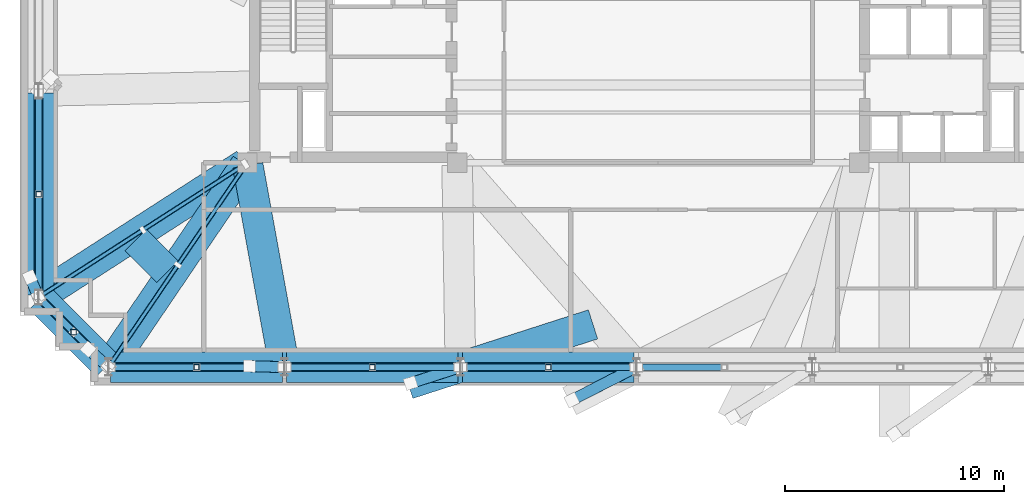
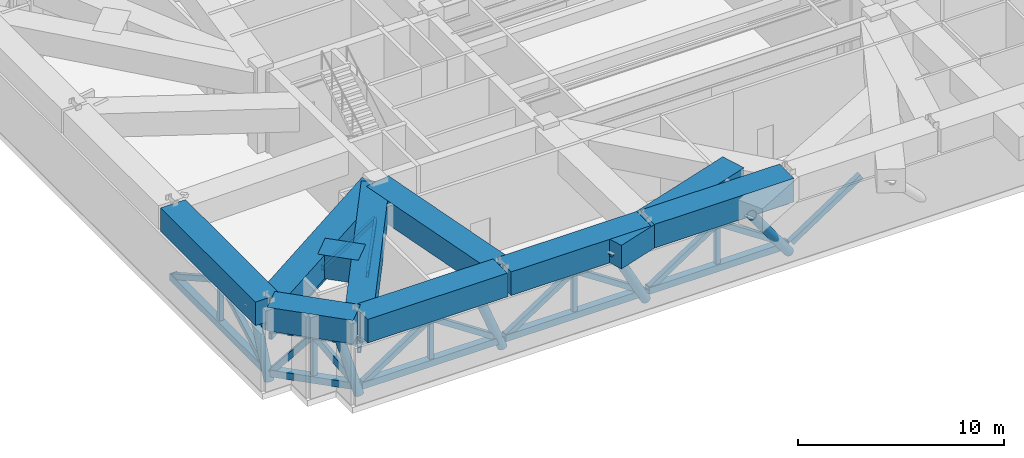
# One storey, part 3 of 18: 37 members, 10 beams.
"""IFC4 building model written with IfcOpenShell, lengths in metres."""

import ifcopenshell
import ifcopenshell.guid

model = None  # the IFC model being written
_history = None  # IfcOwnerHistory: only IFC2X3 demands one
_inside = {}  # id of a spatial element -> (the spatial element, [elements in it])
_under = {}  # id of a project, library or spatial element -> (it, [spatial elements below it])
_declared = {}  # id of a project -> (the project, [libraries it declares])
_typed = {}  # id of a type object -> (the type object, [elements of that type])
_made_of = {}  # id of a material, layer set ... -> (it, [elements and type objects made of it])


def new_model(schema):
    """Start an empty IFC model of exactly this schema.

    Asked for "IFC4X3", IfcOpenShell would pick the latest addendum, in which some entities
    have other attributes; the version numbers below select the first issue.
    IFC2X3 requires an IfcOwnerHistory on every rooted entity: one is made here for all.
    """
    global model, _history
    if schema == "IFC4X3":
        model = ifcopenshell.file(schema_version=(4, 3, 0, 0))
    else:
        model = ifcopenshell.file(schema=schema)
    _inside.clear()
    _under.clear()
    _declared.clear()
    _typed.clear()
    _made_of.clear()
    _history = None
    if model.schema == "IFC2X3":
        org = make("IfcOrganization", Name="unknown")
        user = make(
            "IfcPersonAndOrganization",
            ThePerson=make("IfcPerson", FamilyName="unknown"),
            TheOrganization=org,
        )
        app = make(
            "IfcApplication",
            ApplicationDeveloper=org,
            Version="unknown",
            ApplicationFullName="unknown",
            ApplicationIdentifier="unknown",
        )
        _history = make(
            "IfcOwnerHistory",
            OwningUser=user,
            OwningApplication=app,
            ChangeAction="ADDED",
            CreationDate=0,
        )
    return model


def make(cls, **values):
    """One entity of the class cls with the attributes given. An attribute that is None is left unset."""
    return model.create_entity(
        cls, **{name: value for name, value in values.items() if value is not None}
    )


def rooted(cls, **values):
    """An entity with a GlobalId (a new one), such as an element, a storey or a relation."""
    return make(cls, GlobalId=ifcopenshell.guid.new(), OwnerHistory=_history, **values)


def si_unit(unit_type, name, prefix=None):
    """IfcSIUnit, for example si_unit("LENGTHUNIT", "METRE", prefix="MILLI")."""
    return make("IfcSIUnit", UnitType=unit_type, Prefix=prefix, Name=name)


def assignment(units):
    """IfcUnitAssignment: the units of a project."""
    return None if units is None else make("IfcUnitAssignment", Units=units)


def point(xyz):
    """IfcCartesianPoint."""
    return None if xyz is None else make("IfcCartesianPoint", Coordinates=xyz)


def direction(xyz):
    """IfcDirection."""
    return None if xyz is None else make("IfcDirection", DirectionRatios=xyz)


def frame(location, z_axis=None, x_axis=None):
    """IfcAxis2Placement3D, a coordinate frame: its origin and axes. An axis left out is left unset."""
    return make(
        "IfcAxis2Placement3D",
        Location=point(location),
        Axis=direction(z_axis),
        RefDirection=direction(x_axis),
    )


def frame_2d(location, x_axis=None):
    """IfcAxis2Placement2D, a coordinate frame in the plane: its origin and x axis."""
    return make(
        "IfcAxis2Placement2D", Location=point(location), RefDirection=direction(x_axis)
    )


def origin():
    """The frame at (0, 0, 0) with its axes left unset."""
    return frame((0.0, 0.0, 0.0))


def origin_2d():
    """The frame at (0, 0) in the plane with its x axis left unset."""
    return frame_2d((0.0, 0.0))


def place(relative_to, where):
    """IfcLocalPlacement: puts the frame where relative to a parent placement (None: the world)."""
    return make(
        "IfcLocalPlacement", PlacementRelTo=relative_to, RelativePlacement=where
    )


def context(
    kind, dimensions, precision=None, world=None, true_north=None, identifier=None
):
    """IfcGeometricRepresentationContext, for example the 3D "Model" context."""
    return make(
        "IfcGeometricRepresentationContext",
        ContextIdentifier=identifier,
        ContextType=kind,
        CoordinateSpaceDimension=dimensions,
        Precision=precision,
        WorldCoordinateSystem=world,
        TrueNorth=true_north,
    )


def subcontext(parent, identifier, kind, view, scale=None):
    """IfcGeometricRepresentationSubContext, for example "Body" below "Model"."""
    return make(
        "IfcGeometricRepresentationSubContext",
        ContextIdentifier=identifier,
        ContextType=kind,
        ParentContext=parent,
        TargetScale=scale,
        TargetView=view,
    )


def project(units=None, contexts=None):
    """IfcProject with its units and contexts."""
    return rooted(
        "IfcProject",
        Name="project",
        RepresentationContexts=contexts,
        UnitsInContext=assignment(units),
    )


def spatial(cls, under=None, at=None, **own):
    """A site, building, storey or space (cls), placed at a placement, below another one or the project."""
    s = rooted(cls, ObjectPlacement=at, **own)
    if under is not None:
        _under.setdefault(under.id(), (under, []))[1].append(s)
    return s


def profile(cls, at=None, kind="AREA", **sizes):
    """A parametric profile (cls). Its sizes go by their IFC names, for example OverallWidth=200.0."""
    return make(cls, ProfileType=kind, Position=at, **sizes)


def rectangle(**sizes):
    """IfcRectangleProfileDef."""
    return profile("IfcRectangleProfileDef", **sizes)


def hollow_rectangle(**sizes):
    """IfcRectangleHollowProfileDef."""
    return profile("IfcRectangleHollowProfileDef", **sizes)


def hollow_circle(**sizes):
    """IfcCircleHollowProfileDef."""
    return profile("IfcCircleHollowProfileDef", **sizes)


def extrude(swept, where, along, depth):
    """IfcExtrudedAreaSolid: the profile swept, set in the frame where, extruded along a direction by depth."""
    return make(
        "IfcExtrudedAreaSolid",
        SweptArea=swept,
        Position=where,
        ExtrudedDirection=direction(along),
        Depth=depth,
    )


def shape(context_of_items, identifier, shape_type, items):
    """IfcShapeRepresentation: the items that make up one representation, for example the "Body"."""
    return make(
        "IfcShapeRepresentation",
        ContextOfItems=context_of_items,
        RepresentationIdentifier=identifier,
        RepresentationType=shape_type,
        Items=items,
    )


def material(Name=None, Category=None):
    """IfcMaterial."""
    return make("IfcMaterial", Name=Name, Category=Category)


def material_profile(
    of_material, cross_section, Name=None, Category=None, Priority=None
):
    """IfcMaterialProfile: a cross section and its material."""
    return make(
        "IfcMaterialProfile",
        Name=Name,
        Material=of_material,
        Profile=cross_section,
        Priority=Priority,
        Category=Category,
    )


def profile_set(profiles, Name=None, composite=None):
    """IfcMaterialProfileSet."""
    return make(
        "IfcMaterialProfileSet",
        Name=Name,
        MaterialProfiles=profiles,
        CompositeProfile=composite,
    )


def made_of(thing, what):
    """Note that an element or type object is made of a material, layer set ...; save() writes the relation."""
    if what is not None:
        _made_of.setdefault(what.id(), (what, []))[1].append(thing)
    return thing


def type_object(cls, material=None, **own):
    """A type object (cls), such as IfcWallType, which elements share."""
    return made_of(rooted(cls, **own), material)


def element(
    cls,
    number,
    at=None,
    inside=None,
    cuts=None,
    type_object=None,
    material=None,
    context=None,
    identifier="Body",
    shape_type=None,
    held_by="IfcProductDefinitionShape",
    body=None,
    shapes=None,
    **own,
):
    """One element of the class cls, such as IfcWall. Its Tag is "e" and its number.

    at: its placement. inside: the storey or other place that contains it. cuts: it is an
    opening in that element (IfcRelVoidsElement). A single representation is given by context,
    identifier, shape_type and body (its items); several are given by shapes. held_by: the class
    of the entity that holds the representations. save() writes the other relations.
    """
    e = rooted(cls, Tag="e%d" % number, ObjectPlacement=at, **own)
    if body is not None:
        shapes = [shape(context, identifier, shape_type, body)]
    if shapes is not None:
        e.Representation = make(held_by, Representations=shapes)
    if inside is not None:
        _inside.setdefault(inside.id(), (inside, []))[1].append(e)
    if cuts is not None:
        rooted(
            "IfcRelVoidsElement", RelatingBuildingElement=cuts, RelatedOpeningElement=e
        )
    if type_object is not None:
        _typed.setdefault(type_object.id(), (type_object, []))[1].append(e)
    return made_of(e, material)


def aggregate(whole, parts):
    """IfcRelAggregates: a whole, such as a stair, and the parts it consists of."""
    return rooted("IfcRelAggregates", RelatingObject=whole, RelatedObjects=parts)


def save(model, path):
    """Write the relations noted so far, then the file.

    IfcRelAggregates (storeys below a building ...), IfcRelContainedInSpatialStructure (elements
    in a storey), IfcRelDefinesByType, IfcRelAssociatesMaterial and IfcRelDeclares: one each for
    every whole, place, type object, material and project.
    """
    for whole, parts in _under.values():
        aggregate(whole, parts)
    for where, things in _inside.values():
        rooted(
            "IfcRelContainedInSpatialStructure",
            RelatedElements=things,
            RelatingStructure=where,
        )
    for kind, things in _typed.values():
        rooted("IfcRelDefinesByType", RelatedObjects=things, RelatingType=kind)
    for what, things in _made_of.values():
        rooted("IfcRelAssociatesMaterial", RelatedObjects=things, RelatingMaterial=what)
    for by, libraries in _declared.values():
        rooted("IfcRelDeclares", RelatingContext=by, RelatedDefinitions=libraries)
    model.write(path)


model = new_model("IFC4")

# Units and contexts
model_context = context("Model", 3, precision=1e-05, world=origin(), true_north=direction((0.0, 1.0)))
body_context = subcontext(model_context, "Body", "Model", "MODEL_VIEW")
ifc_project = project(units=[si_unit("LENGTHUNIT", "METRE"), si_unit("AREAUNIT", "SQUARE_METRE"), si_unit("VOLUMEUNIT", "CUBIC_METRE"), si_unit("PLANEANGLEUNIT", "RADIAN"), si_unit("MASSUNIT", "GRAM", prefix="KILO")], contexts=[model_context])

# Site, building, storey
site_placement = place(None, origin())
site = spatial("IfcSite", under=ifc_project, at=site_placement, CompositionType="ELEMENT")
building_placement = place(site_placement, origin())
building = spatial("IfcBuilding", under=site, at=building_placement, Name="Qobustan Lattice House", CompositionType="ELEMENT")
storey_placement = place(building_placement, frame((0.0, 0.0, 174.550048828125)))
storey = spatial("IfcBuildingStorey", under=building, at=storey_placement, Name="L49", CompositionType="ELEMENT", Elevation=174.550048828125)

# Beams
ifc_material_1 = material(Name="Concrete C60/75", Category="concrete")
ifc_material_profile_1 = material_profile(ifc_material_1, rectangle(XDim=1.39990234375, YDim=1.39990234375, at=origin_2d()), Name="RC1400x1400")
ifc_profile_set_1 = profile_set([ifc_material_profile_1], Name="Concrete C60/75")
beam_type = type_object("IfcBeamType", Name="BM-TRG-RC1400", PredefinedType="USERDEFINED", material=ifc_profile_set_1)
for number, where, z_axis, x_axis, name in (
    (1, (-25.050048828125, -14.949951171875, 4.119873046875), (1.0, 0.0, 0.0), (0.0, 1.0, 0.0), "L49 TT3 lower perimeter transfer girder S1-S2"),
    (2, (-17.0, -14.949951171875, 4.119873046875), (1.0, 0.0, 0.0), (0.0, 1.0, 0.0), "L49 TT3 lower perimeter transfer girder S2-S3"),
):
    element("IfcBeam", number, at=place(storey_placement, frame(where, z_axis=z_axis, x_axis=x_axis)), inside=storey, type_object=beam_type, Name=name, ObjectType="GIRDER", PredefinedType="USERDEFINED", context=body_context, shape_type="SweptSolid", body=[
        extrude(rectangle(XDim=1.39990234375, YDim=1.39990234375, at=origin_2d()), origin(), (0.0, 0.0, 1.0), 7.85009765625),
    ])
beam_1_placement = place(storey_placement, frame((-8.949951171875, -14.949951171875, 4.119873046875), z_axis=(1.0, 0.0, 0.0), x_axis=(0.0, 1.0, 0.0)))
element("IfcBeam", 3, at=beam_1_placement, inside=storey, type_object=beam_type, Name="L49 TT3 lower perimeter transfer girder S3-S4", ObjectType="GIRDER", PredefinedType="USERDEFINED", context=body_context, shape_type="SweptSolid", body=[
    extrude(rectangle(XDim=1.39990234375, YDim=1.39990234375, at=origin_2d()), origin(), (0.0, 0.0, 1.0), 7.849853515625),
])
beam_2_placement = place(storey_placement, frame((-28.35009765625, -2.416748046875, 4.119873046875), z_axis=(0.0, -1.0, 0.0), x_axis=(1.0, 0.0, 0.0)))
element("IfcBeam", 4, at=beam_2_placement, inside=storey, type_object=beam_type, Name="L49 TT3 lower perimeter transfer girder W3-W4", ObjectType="GIRDER", PredefinedType="USERDEFINED", context=body_context, shape_type="SweptSolid", body=[
    extrude(rectangle(XDim=1.39990234375, YDim=1.39990234375, at=origin_2d()), origin(), (0.0, 0.0, 1.0), 9.233154296875),
])
beam_3_placement = place(storey_placement, frame((-28.279296875, -11.82080078125, 4.119873046875), z_axis=(0.707106781187, -0.707106781187, 0.0), x_axis=(0.707106781187, 0.707106781187, 0.0)))
element("IfcBeam", 5, at=beam_3_placement, inside=storey, type_object=beam_type, Name="L49 TT3 lower perimeter transfer girder W4-S1", ObjectType="GIRDER", PredefinedType="USERDEFINED", context=body_context, shape_type="SweptSolid", body=[
    extrude(rectangle(XDim=1.39990234375, YDim=1.39990234375, at=origin_2d()), origin(), (0.0, 0.0, 1.0), 4.325439453125),
])
beam_4_placement = place(storey_placement, frame((-18.867431640625, -5.69921875, 4.119873046875), z_axis=(-0.561825190953, -0.827255979011, 0.0), x_axis=(0.827255979011, -0.561825190953, 0.0)))
element("IfcBeam", 6, at=beam_4_placement, inside=storey, type_object=beam_type, Name="L49 TT3 radial transfer girder S1", ObjectType="GIRDER", PredefinedType="USERDEFINED", context=body_context, shape_type="SweptSolid", body=[
    extrude(rectangle(XDim=1.39990234375, YDim=1.39990234375, at=origin_2d()), origin(), (0.0, 0.0, 1.0), 11.062255859375),
])
beam_5_placement = place(storey_placement, frame((-18.778564453125, -5.718017578125, 4.119873046875), z_axis=(0.1788784802, -0.983871175165, 0.0), x_axis=(0.983871175165, 0.1788784802, 0.0)))
element("IfcBeam", 7, at=beam_5_placement, inside=storey, type_object=beam_type, Name="L49 TT3 radial transfer girder S2", ObjectType="GIRDER", PredefinedType="USERDEFINED", context=body_context, shape_type="SweptSolid", body=[
    extrude(rectangle(XDim=1.39990234375, YDim=1.39990234375, at=origin_2d()), origin(), (0.0, 0.0, 1.0), 9.26318359375),
])
beam_6_placement = place(storey_placement, frame((-18.90087890625, -5.6650390625, 4.119873046875), z_axis=(-0.840748732905, -0.541425496369, 0.0), x_axis=(0.541425496369, -0.840748732905, 0.0)))
element("IfcBeam", 8, at=beam_6_placement, inside=storey, type_object=beam_type, Name="L49 TT3 radial transfer girder W4", ObjectType="GIRDER", PredefinedType="USERDEFINED", context=body_context, shape_type="SweptSolid", body=[
    extrude(rectangle(XDim=1.39990234375, YDim=1.39990234375, at=origin_2d()), origin(), (0.0, 0.0, 1.0), 11.118896484375),
])
beam_7_placement = place(storey_placement, frame((-22.447998046875, -10.5869140625, 4.119873046875), z_axis=(-0.707166354612, 0.707047202741, 0.0), x_axis=(-0.707047202741, -0.707166354612, 0.0)))
element("IfcBeam", 9, at=beam_7_placement, inside=storey, type_object=beam_type, Name="L49 TT3 quadrant transfer tie girder 3", ObjectType="GIRDER", PredefinedType="USERDEFINED", context=body_context, shape_type="SweptSolid", body=[
    extrude(rectangle(XDim=1.39990234375, YDim=1.39990234375, at=origin_2d()), origin(), (0.0, 0.0, 1.0), 2.049072265625),
])
beam_8_placement = place(storey_placement, frame((-2.981689453125, -12.99658203125, 4.119873046875), z_axis=(-0.951896417645, -0.30641998968, 0.0), x_axis=(0.30641998968, -0.951896417645, 0.0)))
element("IfcBeam", 10, at=beam_8_placement, inside=storey, type_object=beam_type, Name="L49 TT3 primary column transfer girder S3", ObjectType="GIRDER", PredefinedType="USERDEFINED", context=body_context, shape_type="SweptSolid", body=[
    extrude(rectangle(XDim=1.39990234375, YDim=1.39990234375, at=origin_2d()), origin(), (0.0, 0.0, 1.0), 8.886962890625),
])

# Members
ifc_material_2 = material(Name="Steel S355", Category="steel")
ifc_material_profile_2 = material_profile(ifc_material_2, hollow_rectangle(XDim=0.14990234375, YDim=0.300048828125, WallThickness=0.012451171875, at=origin_2d()), Name="RHS300x150x12.5")
ifc_profile_set_2 = profile_set([ifc_material_profile_2], Name="Steel S355")
member_type_1 = type_object("IfcMemberType", Name="MEM-BRC-RHS300", PredefinedType="BRACE", material=ifc_profile_set_2)
for number, where, z_axis, x_axis, name in (
    (11, (-18.90087890625, -5.6650390625, 2.550048828125), (-0.836056236049, -0.538403621533, 0.10550597369), (0.541425496369, -0.840748732905, 0.0), "L49 TT3 outrigger diagonal OUT-WS-1"),
    (12, (-23.574951171875, -8.675048828125, 3.139892578125), (-0.836056236049, -0.538403621533, -0.10550597369), (0.541425496369, -0.840748732905, 0.0), "L49 TT3 outrigger diagonal OUT-WS-2"),
):
    element("IfcMember", number, at=place(storey_placement, frame(where, z_axis=z_axis, x_axis=x_axis)), inside=storey, type_object=member_type_1, Name=name, PredefinedType="BRACE", context=body_context, shape_type="SweptSolid", body=[
        extrude(hollow_rectangle(XDim=0.14990234375, YDim=0.300048828125, WallThickness=0.012451171875, at=origin_2d()), origin(), (0.0, 0.0, 1.0), 5.590576171875),
    ])
for number, where, z_axis, x_axis, name in (
    (13, (-18.867431640625, -5.69921875, 2.550048828125), (-0.558672703346, -0.822581805807, 0.106037650348), (0.827245721652, -0.561840294041, 0.0), "L49 TT3 outrigger diagonal OUT-WN-1"),
    (14, (-21.97509765625, -10.27490234375, 3.139892578125), (-0.558642511139, -0.822601975469, -0.106040250386), (0.827266236349, -0.561810087304, 0.0), "L49 TT3 outrigger diagonal OUT-WN-2"),
):
    element("IfcMember", number, at=place(storey_placement, frame(where, z_axis=z_axis, x_axis=x_axis)), inside=storey, type_object=member_type_1, Name=name, PredefinedType="BRACE", context=body_context, shape_type="SweptSolid", body=[
        extrude(hollow_rectangle(XDim=0.14990234375, YDim=0.300048828125, WallThickness=0.012451171875, at=origin_2d()), origin(), (0.0, 0.0, 1.0), 5.5625),
    ])
ifc_material_3 = material(Name="Steel S355", Category="steel")
ifc_material_profile_3 = material_profile(ifc_material_3, hollow_rectangle(XDim=0.300048828125, YDim=0.300048828125, WallThickness=0.01611328125, at=origin_2d()), Name="SHS300x300x16")
ifc_profile_set_3 = profile_set([ifc_material_profile_3], Name="Steel S355")
member_type_2 = type_object("IfcMemberType", Name="MEM-BRC-SHS300", PredefinedType="BRACE", material=ifc_profile_set_3)
for number, where, z_axis, x_axis, name in (
    (15, (-25.050048828125, -14.949951171875, 0.550048828125), (0.834676709291, 0.0, 0.550740220946), (0.0, 1.0, 0.0), "L49 TT3 belt truss web diagonal S1-S2 A"),
    (16, (-21.125, -14.949951171875, 3.139892578125), (0.834676709291, 0.0, -0.550740220946), (0.0, 1.0, 0.0), "L49 TT3 belt truss web diagonal S1-S2 B"),
    (17, (-17.0, -14.949951171875, 0.550048828125), (0.834676709291, 0.0, 0.550740220946), (0.0, 1.0, 0.0), "L49 TT3 belt truss web diagonal S2-S3 A"),
    (18, (-13.074951171875, -14.949951171875, 3.139892578125), (0.834676709291, 0.0, -0.550740220946), (0.0, 1.0, 0.0), "L49 TT3 belt truss web diagonal S2-S3 B"),
    (19, (-8.949951171875, -14.949951171875, 0.550048828125), (0.834676709291, 0.0, 0.550740220946), (0.0, 1.0, 0.0), "L49 TT3 belt truss web diagonal S3-S4 A"),
    (20, (-5.02490234375, -14.949951171875, 3.139892578125), (0.834660960939, 0.0, -0.550764087686), (0.0, 1.0, 0.0), "L49 TT3 belt truss web diagonal S3-S4 B"),
    (21, (-0.89990234375, -14.949951171875, 0.550048828125), (0.834660960939, 0.0, 0.550764087686), (0.0, 1.0, 0.0), "L49 TT3 belt truss web diagonal S4-S5 A"),
):
    element("IfcMember", number, at=place(storey_placement, frame(where, z_axis=z_axis, x_axis=x_axis)), inside=storey, type_object=member_type_2, Name=name, PredefinedType="BRACE", context=body_context, shape_type="SweptSolid", body=[
        extrude(hollow_rectangle(XDim=0.300048828125, YDim=0.300048828125, WallThickness=0.01611328125, at=origin_2d()), origin(), (0.0, 0.0, 1.0), 4.702392578125),
    ])
member_1_placement = place(storey_placement, frame((-28.35009765625, -2.416748046875, 0.550048828125), z_axis=(0.0, -0.872144001092, 0.489249263013), x_axis=(1.0, 0.0, 0.0)))
element("IfcMember", 22, at=member_1_placement, inside=storey, type_object=member_type_2, Name="L49 TT3 belt truss web diagonal W3-W4 A", PredefinedType="BRACE", context=body_context, shape_type="SweptSolid", body=[
    extrude(hollow_rectangle(XDim=0.300048828125, YDim=0.300048828125, WallThickness=0.01611328125, at=origin_2d()), origin(), (0.0, 0.0, 1.0), 5.29345703125),
])
member_2_placement = place(storey_placement, frame((-28.35009765625, -7.033447265625, 3.139892578125), z_axis=(0.0, -0.872132960732, -0.489268943225), x_axis=(1.0, 0.0, 0.0)))
element("IfcMember", 23, at=member_2_placement, inside=storey, type_object=member_type_2, Name="L49 TT3 belt truss web diagonal W3-W4 B", PredefinedType="BRACE", context=body_context, shape_type="SweptSolid", body=[
    extrude(hollow_rectangle(XDim=0.300048828125, YDim=0.300048828125, WallThickness=0.01611328125, at=origin_2d()), origin(), (0.0, 0.0, 1.0), 5.293212890625),
])
for number, where, z_axis, x_axis, name in (
    (24, (-28.279296875, -11.82080078125, 0.550048828125), (0.453241133876, -0.453241133876, 0.767557782272), (0.707106781187, 0.707106781187, 0.0), "L49 TT3 belt truss web diagonal W4-S1 A"),
    (25, (-26.75, -13.35009765625, 3.139892578125), (0.453241133876, -0.453241133876, -0.767557782272), (0.707106781187, 0.707106781187, 0.0), "L49 TT3 belt truss web diagonal W4-S1 B"),
):
    element("IfcMember", number, at=place(storey_placement, frame(where, z_axis=z_axis, x_axis=x_axis)), inside=storey, type_object=member_type_2, Name=name, PredefinedType="BRACE", context=body_context, shape_type="SweptSolid", body=[
        extrude(hollow_rectangle(XDim=0.300048828125, YDim=0.300048828125, WallThickness=0.01611328125, at=origin_2d()), origin(), (0.0, 0.0, 1.0), 3.3740234375),
    ])
ifc_material_4 = material(Name="Steel S355", Category="steel")
ifc_material_profile_4 = material_profile(ifc_material_4, hollow_rectangle(XDim=0.199951171875, YDim=0.39990234375, WallThickness=0.01611328125, at=origin_2d()), Name="RHS400x200x16")
ifc_profile_set_4 = profile_set([ifc_material_profile_4], Name="Steel S355")
member_type_3 = type_object("IfcMemberType", Name="MEM-CHD-RHS400", PredefinedType="CHORD", material=ifc_profile_set_4)
member_3_placement = place(storey_placement, frame((-18.90087890625, -5.6650390625, 2.550048828125), z_axis=(-0.840748732905, -0.541425496369, 0.0), x_axis=(0.541425496369, -0.840748732905, 0.0)))
element("IfcMember", 26, at=member_3_placement, inside=storey, type_object=member_type_3, Name="L49 TT3 outrigger chord OUT-WS", PredefinedType="CHORD", context=body_context, shape_type="SweptSolid", body=[
    extrude(hollow_rectangle(XDim=0.199951171875, YDim=0.39990234375, WallThickness=0.01611328125, at=origin_2d()), origin(), (0.0, 0.0, 1.0), 11.118896484375),
])
member_4_placement = place(storey_placement, frame((-18.867431640625, -5.69921875, 2.550048828125), z_axis=(-0.561825190953, -0.827255979011, 0.0), x_axis=(0.827255979011, -0.561825190953, 0.0)))
element("IfcMember", 27, at=member_4_placement, inside=storey, type_object=member_type_3, Name="L49 TT3 outrigger chord OUT-WN", PredefinedType="CHORD", context=body_context, shape_type="SweptSolid", body=[
    extrude(hollow_rectangle(XDim=0.199951171875, YDim=0.39990234375, WallThickness=0.01611328125, at=origin_2d()), origin(), (0.0, 0.0, 1.0), 11.062255859375),
])
ifc_material_5 = material(Name="Steel S355", Category="steel")
ifc_material_profile_5 = material_profile(ifc_material_5, hollow_rectangle(XDim=0.35009765625, YDim=0.35009765625, WallThickness=0.01611328125, at=origin_2d()), Name="SHS350x350x16")
ifc_profile_set_5 = profile_set([ifc_material_profile_5], Name="Steel S355")
member_type_4 = type_object("IfcMemberType", Name="MEM-CHD-SHS350", PredefinedType="CHORD", material=ifc_profile_set_5)
for number, where, z_axis, x_axis, name in (
    (28, (-25.050048828125, -14.949951171875, 3.139892578125), (1.0, 0.0, 0.0), (0.0, 1.0, 0.0), "L49 TT3 belt truss top chord S1-S2"),
    (29, (-17.0, -14.949951171875, 3.139892578125), (1.0, 0.0, 0.0), (0.0, 1.0, 0.0), "L49 TT3 belt truss top chord S2-S3"),
):
    element("IfcMember", number, at=place(storey_placement, frame(where, z_axis=z_axis, x_axis=x_axis)), inside=storey, type_object=member_type_4, Name=name, PredefinedType="CHORD", context=body_context, shape_type="SweptSolid", body=[
        extrude(hollow_rectangle(XDim=0.35009765625, YDim=0.35009765625, WallThickness=0.01611328125, at=origin_2d()), origin(), (0.0, 0.0, 1.0), 7.85009765625),
    ])
member_5_placement = place(storey_placement, frame((-8.949951171875, -14.949951171875, 3.139892578125), z_axis=(1.0, 0.0, 0.0), x_axis=(0.0, 1.0, 0.0)))
element("IfcMember", 30, at=member_5_placement, inside=storey, type_object=member_type_4, Name="L49 TT3 belt truss top chord S3-S4", PredefinedType="CHORD", context=body_context, shape_type="SweptSolid", body=[
    extrude(hollow_rectangle(XDim=0.35009765625, YDim=0.35009765625, WallThickness=0.01611328125, at=origin_2d()), origin(), (0.0, 0.0, 1.0), 7.849853515625),
])
member_6_placement = place(storey_placement, frame((-28.35009765625, -2.416748046875, 3.139892578125), z_axis=(0.0, -1.0, 0.0), x_axis=(1.0, 0.0, 0.0)))
element("IfcMember", 31, at=member_6_placement, inside=storey, type_object=member_type_4, Name="L49 TT3 belt truss top chord W3-W4", PredefinedType="CHORD", context=body_context, shape_type="SweptSolid", body=[
    extrude(hollow_rectangle(XDim=0.35009765625, YDim=0.35009765625, WallThickness=0.01611328125, at=origin_2d()), origin(), (0.0, 0.0, 1.0), 9.233154296875),
])
member_7_placement = place(storey_placement, frame((-28.279296875, -11.82080078125, 3.139892578125), z_axis=(0.707106781187, -0.707106781187, 0.0), x_axis=(0.707106781187, 0.707106781187, 0.0)))
element("IfcMember", 32, at=member_7_placement, inside=storey, type_object=member_type_4, Name="L49 TT3 belt truss top chord W4-S1", PredefinedType="CHORD", context=body_context, shape_type="SweptSolid", body=[
    extrude(hollow_rectangle(XDim=0.35009765625, YDim=0.35009765625, WallThickness=0.01611328125, at=origin_2d()), origin(), (0.0, 0.0, 1.0), 4.325439453125),
])
ifc_material_6 = material(Name="Steel S355", Category="steel")
ifc_material_profile_6 = material_profile(ifc_material_6, hollow_rectangle(XDim=0.39990234375, YDim=0.39990234375, WallThickness=0.02001953125, at=origin_2d()), Name="SHS400x400x20")
ifc_profile_set_6 = profile_set([ifc_material_profile_6], Name="Steel S355")
member_type_5 = type_object("IfcMemberType", Name="MEM-CHD-SHS400", PredefinedType="CHORD", material=ifc_profile_set_6)
for number, where, z_axis, x_axis, name in (
    (33, (-25.050048828125, -14.949951171875, 0.550048828125), (1.0, 0.0, 0.0), (0.0, 1.0, 0.0), "L49 TT3 belt truss bottom chord S1-S2"),
    (34, (-17.0, -14.949951171875, 0.550048828125), (1.0, 0.0, 0.0), (0.0, 1.0, 0.0), "L49 TT3 belt truss bottom chord S2-S3"),
):
    element("IfcMember", number, at=place(storey_placement, frame(where, z_axis=z_axis, x_axis=x_axis)), inside=storey, type_object=member_type_5, Name=name, PredefinedType="CHORD", context=body_context, shape_type="SweptSolid", body=[
        extrude(hollow_rectangle(XDim=0.39990234375, YDim=0.39990234375, WallThickness=0.02001953125, at=origin_2d()), origin(), (0.0, 0.0, 1.0), 7.85009765625),
    ])
member_8_placement = place(storey_placement, frame((-8.949951171875, -14.949951171875, 0.550048828125), z_axis=(1.0, 0.0, 0.0), x_axis=(0.0, 1.0, 0.0)))
element("IfcMember", 35, at=member_8_placement, inside=storey, type_object=member_type_5, Name="L49 TT3 belt truss bottom chord S3-S4", PredefinedType="CHORD", context=body_context, shape_type="SweptSolid", body=[
    extrude(hollow_rectangle(XDim=0.39990234375, YDim=0.39990234375, WallThickness=0.02001953125, at=origin_2d()), origin(), (0.0, 0.0, 1.0), 7.849853515625),
])
member_9_placement = place(storey_placement, frame((-28.35009765625, -2.416748046875, 0.550048828125), z_axis=(0.0, -1.0, 0.0), x_axis=(1.0, 0.0, 0.0)))
element("IfcMember", 36, at=member_9_placement, inside=storey, type_object=member_type_5, Name="L49 TT3 belt truss bottom chord W3-W4", PredefinedType="CHORD", context=body_context, shape_type="SweptSolid", body=[
    extrude(hollow_rectangle(XDim=0.39990234375, YDim=0.39990234375, WallThickness=0.02001953125, at=origin_2d()), origin(), (0.0, 0.0, 1.0), 9.233154296875),
])
member_10_placement = place(storey_placement, frame((-28.279296875, -11.82080078125, 0.550048828125), z_axis=(0.707106781187, -0.707106781187, 0.0), x_axis=(0.707106781187, 0.707106781187, 0.0)))
element("IfcMember", 37, at=member_10_placement, inside=storey, type_object=member_type_5, Name="L49 TT3 belt truss bottom chord W4-S1", PredefinedType="CHORD", context=body_context, shape_type="SweptSolid", body=[
    extrude(hollow_rectangle(XDim=0.39990234375, YDim=0.39990234375, WallThickness=0.02001953125, at=origin_2d()), origin(), (0.0, 0.0, 1.0), 4.325439453125),
])
ifc_material_7 = material(Name="Steel S355", Category="steel")
ifc_material_profile_7 = material_profile(ifc_material_7, hollow_rectangle(XDim=0.25, YDim=0.25, WallThickness=0.012451171875, at=origin_2d()), Name="SHS250x250x12.5")
ifc_profile_set_7 = profile_set([ifc_material_profile_7], Name="Steel S355")
member_type_6 = type_object("IfcMemberType", Name="MEM-PST-SHS250", PredefinedType="POST", material=ifc_profile_set_7)
for number, where, z_axis, x_axis, name in (
    (38, (-21.125, -14.949951171875, 0.550048828125), (0.0, 0.0, 1.0), (1.0, 0.0, 0.0), "L49 TT3 belt truss vertical post S1-S2"),
    (39, (-13.074951171875, -14.949951171875, 0.550048828125), (0.0, 0.0, 1.0), (1.0, 0.0, 0.0), "L49 TT3 belt truss vertical post S2-S3"),
    (40, (-5.02490234375, -14.949951171875, 0.550048828125), (0.0, 0.0, 1.0), (1.0, 0.0, 0.0), "L49 TT3 belt truss vertical post S3-S4"),
    (41, (-28.35009765625, -7.033447265625, 0.550048828125), (0.0, 0.0, 1.0), (1.0, 0.0, 0.0), "L49 TT3 belt truss vertical post W3-W4"),
    (42, (-26.75, -13.35009765625, 0.550048828125), (0.0, 0.0, 1.0), (1.0, 0.0, 0.0), "L49 TT3 belt truss vertical post W4-S1"),
):
    element("IfcMember", number, at=place(storey_placement, frame(where, z_axis=z_axis, x_axis=x_axis)), inside=storey, type_object=member_type_6, Name=name, PredefinedType="POST", context=body_context, shape_type="SweptSolid", body=[
        extrude(hollow_rectangle(XDim=0.25, YDim=0.25, WallThickness=0.012451171875, at=origin_2d()), origin(), (0.0, 0.0, 1.0), 2.58984375),
    ])
ifc_material_8 = material(Name="Steel S355", Category="steel")
ifc_material_profile_8 = material_profile(ifc_material_8, hollow_circle(Radius=0.25390625, WallThickness=0.02001953125, at=origin_2d()), Name="CHS508x20")
ifc_profile_set_8 = profile_set([ifc_material_profile_8], Name="Steel S355")
member_type_7 = type_object("IfcMemberType", Name="MEM-STR-CHS508", PredefinedType="STRUT", material=ifc_profile_set_8)
member_11_placement = place(storey_placement, frame((-25.14990234375, -14.949951171875, 0.014892578125), z_axis=(-0.21672441641, 0.190644599617, 0.957436767609), x_axis=(-0.660485572724, -0.750838736496, 0.0)))
element("IfcMember", 43, at=member_11_placement, inside=storey, type_object=member_type_7, Name="L49 TT3 column transfer strut S1", PredefinedType="STRUT", context=body_context, shape_type="SweptSolid", body=[
    extrude(hollow_circle(Radius=0.25390625, WallThickness=0.02001953125, at=origin_2d()), origin(), (0.0, 0.0, 1.0), 4.287353515625),
])
member_12_placement = place(storey_placement, frame((-17.10009765625, -14.949951171875, 0.014892578125), z_axis=(-0.36369112099, 0.00958393967, 0.931470298299), x_axis=(-0.026342721076, -0.999652970308, 0.0)))
element("IfcMember", 44, at=member_12_placement, inside=storey, type_object=member_type_7, Name="L49 TT3 column transfer strut S2", PredefinedType="STRUT", context=body_context, shape_type="SweptSolid", body=[
    extrude(hollow_circle(Radius=0.25390625, WallThickness=0.02001953125, at=origin_2d()), origin(), (0.0, 0.0, 1.0), 4.406982421875),
])
member_13_placement = place(storey_placement, frame((-9.050048828125, -14.949951171875, 0.014892578125), z_axis=(-0.479232327599, -0.154314248314, 0.864015907811), x_axis=(0.306504720375, -0.951869138268, 0.0)))
element("IfcMember", 45, at=member_13_placement, inside=storey, type_object=member_type_7, Name="L49 TT3 column transfer strut S3", PredefinedType="STRUT", context=body_context, shape_type="SweptSolid", body=[
    extrude(hollow_circle(Radius=0.25390625, WallThickness=0.02001953125, at=origin_2d()), origin(), (0.0, 0.0, 1.0), 4.7509765625),
])
member_14_placement = place(storey_placement, frame((-1.0, -14.949951171875, 0.014892578125), z_axis=(-0.559335316945, -0.285891750483, 0.778080914959), x_axis=(0.455122741684, -0.890428711353, 0.0)))
element("IfcMember", 46, at=member_14_placement, inside=storey, type_object=member_type_7, Name="L49 TT3 column transfer strut S4", PredefinedType="STRUT", context=body_context, shape_type="SweptSolid", body=[
    extrude(hollow_circle(Radius=0.25390625, WallThickness=0.02001953125, at=origin_2d()), origin(), (0.0, 0.0, 1.0), 5.27587890625),
])
member_15_placement = place(storey_placement, frame((-28.35009765625, -11.75, 0.014892578125), z_axis=(-0.09437299636, 0.216543550128, 0.971700894543), x_axis=(-0.916723536939, -0.399522160614, 0.0)))
element("IfcMember", 47, at=member_15_placement, inside=storey, type_object=member_type_7, Name="L49 TT3 column transfer strut W4", PredefinedType="STRUT", context=body_context, shape_type="SweptSolid", body=[
    extrude(hollow_circle(Radius=0.25390625, WallThickness=0.02001953125, at=origin_2d()), origin(), (0.0, 0.0, 1.0), 4.224609375),
])

save(model, "model.ifc")
